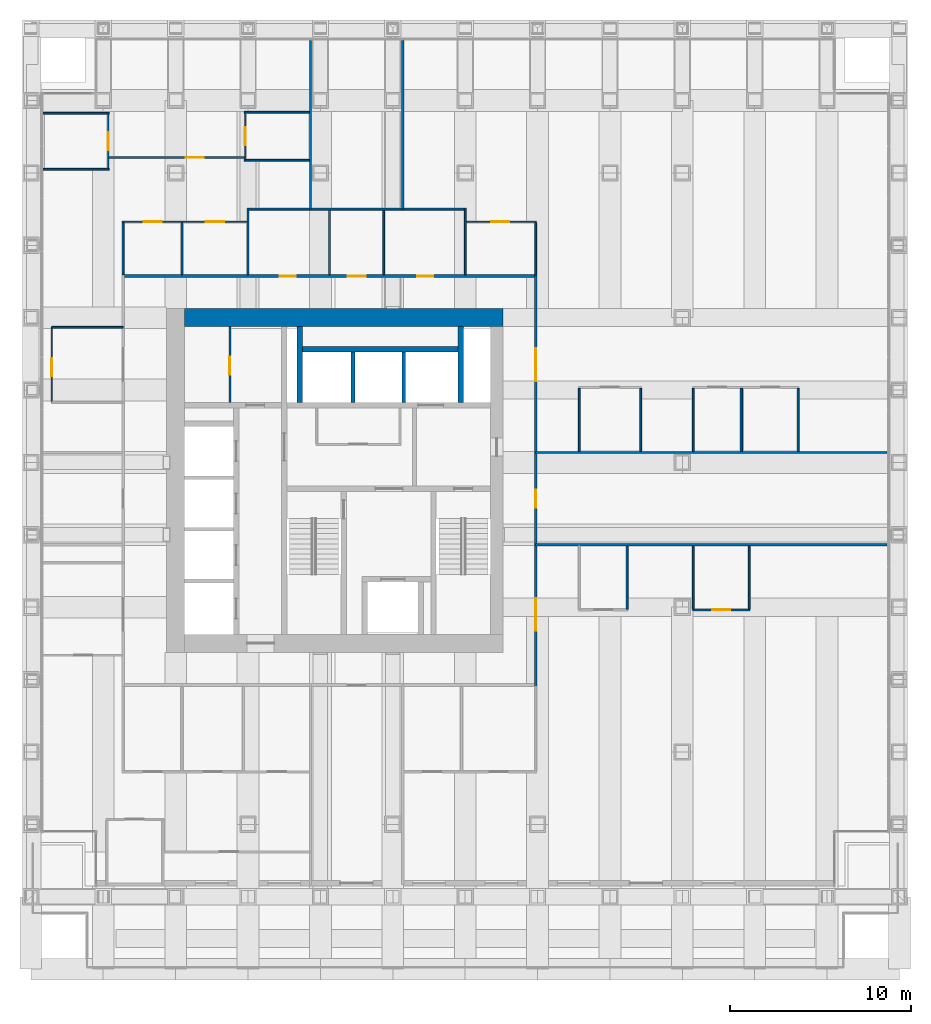
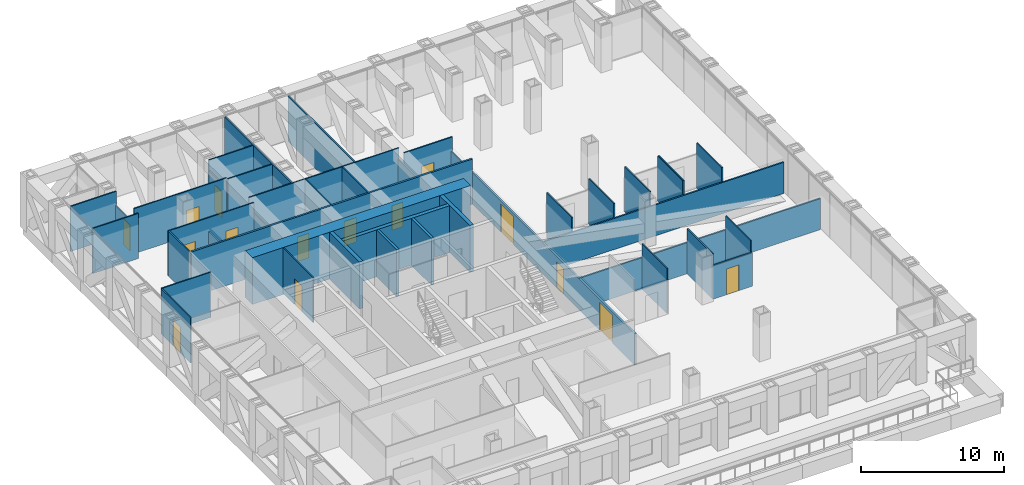
# One storey, part 14 of 18: 42 walls, 15 doors, 15 openings.
"""IFC4 building model written with IfcOpenShell, lengths in metres."""

from ifc_helpers import new_model, si_unit, direction, frame, frame_2d, origin, place, context, subcontext, project, spatial, rectangle, extrude, material, layer, layer_set, type_object, element, fill, save


model = new_model("IFC4")

# Units and contexts
model_context = context("Model", 3, precision=1e-05, world=origin(), true_north=direction((0.0, 1.0)))
body_context = subcontext(model_context, "Body", "Model", "MODEL_VIEW")
ifc_project = project(units=[si_unit("LENGTHUNIT", "METRE"), si_unit("AREAUNIT", "SQUARE_METRE"), si_unit("VOLUMEUNIT", "CUBIC_METRE"), si_unit("PLANEANGLEUNIT", "RADIAN"), si_unit("MASSUNIT", "GRAM", prefix="KILO")], contexts=[model_context])

# Site, building, storey
site_placement = place(None, origin())
site = spatial("IfcSite", under=ifc_project, at=site_placement, CompositionType="ELEMENT")
building_placement = place(site_placement, origin())
building = spatial("IfcBuilding", under=site, at=building_placement, Name="Rimbunsela Tower", CompositionType="ELEMENT")
storey_placement = place(building_placement, frame((0.0, 0.0, 105.39990234375)))
storey = spatial("IfcBuildingStorey", under=building, at=storey_placement, Name="L25", CompositionType="ELEMENT", Elevation=105.39990234375)

# Walls
ifc_material_1 = material(Name="Concrete fc' 80 MPa", Category="concrete")
ifc_layer_1 = layer(ifc_material_1, 0.300048828125)
ifc_layer_set_1 = layer_set([ifc_layer_1], Name="Core internal wall 300")
wall_type_1 = type_object("IfcWallType", Name="Core internal wall 300", PredefinedType="SHEAR", material=ifc_layer_set_1)
for number, where, z_axis, x_axis, name in (
    (1, (24.85009765625, 31.300048828125, -0.14990234375), (0.0, 0.0, 1.0), (0.0, 1.0, 0.0), "Riser wall"),
    (2, (33.75, 31.300048828125, -0.14990234375), (0.0, 0.0, 1.0), (0.0, 1.0, 0.0), "Riser wall"),
):
    element("IfcWall", number, at=place(storey_placement, frame(where, z_axis=z_axis, x_axis=x_axis)), inside=storey, type_object=wall_type_1, Name=name, PredefinedType="SHEAR", context=body_context, shape_type="SweptSolid", body=[
        extrude(rectangle(XDim=4.199951171875, YDim=0.300048828125, at=frame_2d((2.10009765625, 0.0))), origin(), (0.0, 0.0, 1.0), 4.0),
    ])
wall_1_placement = place(storey_placement, frame((25.0, 34.25, -0.14990234375), z_axis=(0.0, 0.0, 1.0), x_axis=(1.0, 0.0, 0.0)))
element("IfcWall", 3, at=wall_1_placement, inside=storey, type_object=wall_type_1, Name="Lift shaft rear north", PredefinedType="SHEAR", context=body_context, shape_type="SweptSolid", body=[
    extrude(rectangle(XDim=8.60009765625, YDim=0.300048828125, at=frame_2d((4.300048828125, 0.0))), origin(), (0.0, 0.0, 1.0), 4.0),
])

# Wall, opening, door
ifc_material_2 = material(Name="Concrete blockwork", Category="masonry")
ifc_layer_2 = layer(ifc_material_2, 0.10009765625)
ifc_layer_set_2 = layer_set([ifc_layer_2], Name="Core room partition 100")
wall_type_2 = type_object("IfcWallType", Name="Core room partition 100", PredefinedType="PARTITIONING", material=ifc_layer_set_2)
wall_2_placement = place(storey_placement, frame((21.0, 31.300048828125, 0.0), z_axis=(0.0, 0.0, 1.0), x_axis=(0.0, 1.0, 0.0)))
wall_2 = element("IfcWall", 4, at=wall_2_placement, inside=storey, type_object=wall_type_2, Name="Equipment store wall", PredefinedType="PARTITIONING", context=body_context, shape_type="SweptSolid", body=[
    extrude(rectangle(XDim=4.199951171875, YDim=0.10009765625, at=frame_2d((2.10009765625, 0.0))), origin(), (0.0, 0.0, 1.0), 3.85009765625),
])
opening_1_placement = place(wall_2_placement, frame((1.550048828125, 0.0, 0.0)))
opening_1 = element("IfcOpeningElement", 5, at=opening_1_placement, cuts=wall_2, Name="Opening D19", PredefinedType="OPENING", context=body_context, shape_type="SweptSolid", body=[
    extrude(rectangle(XDim=1.0, YDim=2.199951171875, at=frame_2d((0.5, 1.10009765625))), frame((0.0, 0.06005859375, 0.0), z_axis=(0.0, -1.0, 0.0), x_axis=(1.0, 0.0, 0.0)), (0.0, 0.0, 1.0), 0.1201171875),
])
ifc_material_3 = material(Name="Steel door, fire rated", Category="steel")
door_type_1 = type_object("IfcDoorType", Name="Service door 1000 fire rated", OperationType="SINGLE_SWING_LEFT", PredefinedType="DOOR", material=ifc_material_3)
door_1_placement = place(opening_1_placement, origin())
door_1 = element("IfcDoor", 6, at=door_1_placement, inside=storey, type_object=door_type_1, Name="Equipment store door", OperationType="SINGLE_SWING_LEFT", OverallHeight=2.199951171875, OverallWidth=1.0, PredefinedType="DOOR", context=body_context, shape_type="SweptSolid", body=[
    extrude(rectangle(XDim=1.0, YDim=2.199951171875, at=frame_2d((0.5, 1.10009765625))), frame((0.0, 0.02490234375, 0.0), z_axis=(0.0, -1.0, 0.0), x_axis=(1.0, 0.0, 0.0)), (0.0, 0.0, 1.0), 0.050048828125),
])
fill(opening_1, door_1)

# Walls
ifc_material_4 = material(Name="Concrete fc' 80 MPa", Category="concrete")
ifc_layer_3 = layer(ifc_material_4, 1.0)
ifc_layer_set_3 = layer_set([ifc_layer_3], Name="Core wall 1000")
wall_type_3 = type_object("IfcWallType", Name="Core wall 1000", PredefinedType="SHEAR", material=ifc_layer_set_3)
wall_3_placement = place(storey_placement, frame((18.5, 36.0, -0.14990234375), z_axis=(0.0, 0.0, 1.0), x_axis=(1.0, 0.0, 0.0)))
element("IfcWall", 7, at=wall_3_placement, inside=storey, type_object=wall_type_3, Name="Core wall north", PredefinedType="SHEAR", context=body_context, shape_type="SweptSolid", body=[
    extrude(rectangle(XDim=17.60009765625, YDim=1.0, at=frame_2d((8.800048828125, 0.0))), origin(), (0.0, 0.0, 1.0), 4.0),
])
ifc_material_5 = material(Name="Concrete blockwork", Category="masonry")
ifc_layer_4 = layer(ifc_material_5, 0.199951171875)
ifc_layer_set_4 = layer_set([ifc_layer_4], Name="Lift shaft wall 200")
wall_type_4 = type_object("IfcWallType", Name="Lift shaft wall 200", PredefinedType="SOLIDWALL", material=ifc_layer_set_4)
for number, where, z_axis, x_axis, name in (
    (8, (27.800048828125, 31.300048828125, -0.14990234375), (0.0, 0.0, 1.0), (0.0, 1.0, 0.0), "Lift shaft separation"),
    (9, (30.60009765625, 31.300048828125, -0.14990234375), (0.0, 0.0, 1.0), (0.0, 1.0, 0.0), "Lift shaft separation"),
):
    element("IfcWall", number, at=place(storey_placement, frame(where, z_axis=z_axis, x_axis=x_axis)), inside=storey, type_object=wall_type_4, Name=name, PredefinedType="SOLIDWALL", context=body_context, shape_type="SweptSolid", body=[
        extrude(rectangle(XDim=2.800048828125, YDim=0.199951171875, at=frame_2d((1.39990234375, 0.0))), origin(), (0.0, 0.0, 1.0), 4.0),
    ])

# Wall, opening, door
ifc_material_6 = material(Name="Gypsum board on steel studs", Category="steel")
ifc_layer_5 = layer(ifc_material_6, 0.10009765625)
ifc_layer_set_5 = layer_set([ifc_layer_5], Name="Office partition 100")
wall_type_5 = type_object("IfcWallType", Name="Office partition 100", PredefinedType="PARTITIONING", material=ifc_layer_set_5)
wall_4_placement = place(storey_placement, frame((46.550048828125, 19.85009765625, 0.0), z_axis=(0.0, 0.0, 1.0), x_axis=(1.0, 0.0, 0.0)))
wall_4 = element("IfcWall", 10, at=wall_4_placement, inside=storey, type_object=wall_type_5, Name="Office partition", PredefinedType="PARTITIONING", context=body_context, shape_type="SweptSolid", body=[
    extrude(rectangle(XDim=3.199951171875, YDim=0.10009765625, at=frame_2d((1.60009765625, 0.0))), origin(), (0.0, 0.0, 1.0), 2.85009765625),
])
opening_2_placement = place(wall_4_placement, frame((1.10009765625, 0.0, 0.0)))
opening_2 = element("IfcOpeningElement", 11, at=opening_2_placement, cuts=wall_4, Name="Opening D16", PredefinedType="OPENING", context=body_context, shape_type="SweptSolid", body=[
    extrude(rectangle(XDim=1.0, YDim=2.199951171875, at=frame_2d((0.5, 1.10009765625))), frame((0.0, 0.06005859375, 0.0), z_axis=(0.0, -1.0, 0.0), x_axis=(1.0, 0.0, 0.0)), (0.0, 0.0, 1.0), 0.1201171875),
])
ifc_material_7 = material(Name="Timber door", Category="wood")
door_type_2 = type_object("IfcDoorType", Name="Office door 1000", OperationType="SINGLE_SWING_LEFT", PredefinedType="DOOR", material=ifc_material_7)
door_2_placement = place(opening_2_placement, origin())
door_2 = element("IfcDoor", 12, at=door_2_placement, inside=storey, type_object=door_type_2, Name="Office door", OperationType="SINGLE_SWING_LEFT", OverallHeight=2.199951171875, OverallWidth=1.0, PredefinedType="DOOR", context=body_context, shape_type="SweptSolid", body=[
    extrude(rectangle(XDim=1.0, YDim=2.199951171875, at=frame_2d((0.5, 1.10009765625))), frame((0.0, 0.02490234375, 0.0), z_axis=(0.0, -1.0, 0.0), x_axis=(1.0, 0.0, 0.0)), (0.0, 0.0, 1.0), 0.050048828125),
])
fill(opening_2, door_2)

# Wall, openings, doors
wall_5_placement = place(storey_placement, frame((15.050048828125, 41.300048828125, 0.0), z_axis=(0.0, 0.0, 1.0), x_axis=(1.0, 0.0, 0.0)))
wall_5 = element("IfcWall", 13, at=wall_5_placement, inside=storey, type_object=wall_type_5, Name="Office partition", PredefinedType="PARTITIONING", context=body_context, shape_type="SweptSolid", body=[
    extrude(rectangle(XDim=6.89990234375, YDim=0.10009765625, at=frame_2d((3.449951171875, 0.0))), origin(), (0.0, 0.0, 1.0), 3.85009765625),
])
opening_3_placement = place(wall_5_placement, frame((1.175048828125, 0.0, 0.0)))
opening_3 = element("IfcOpeningElement", 14, at=opening_3_placement, cuts=wall_5, Name="Opening D16", PredefinedType="OPENING", context=body_context, shape_type="SweptSolid", body=[
    extrude(rectangle(XDim=1.0, YDim=2.199951171875, at=frame_2d((0.5, 1.10009765625))), frame((0.0, 0.06005859375, 0.0), z_axis=(0.0, -1.0, 0.0), x_axis=(1.0, 0.0, 0.0)), (0.0, 0.0, 1.0), 0.1201171875),
])
opening_4_placement = place(wall_5_placement, frame((4.625, 0.0, 0.0)))
opening_4 = element("IfcOpeningElement", 15, at=opening_4_placement, cuts=wall_5, Name="Opening D16", PredefinedType="OPENING", context=body_context, shape_type="SweptSolid", body=[
    extrude(rectangle(XDim=1.0, YDim=2.199951171875, at=frame_2d((0.5, 1.10009765625))), frame((0.0, 0.06005859375, 0.0), z_axis=(0.0, -1.0, 0.0), x_axis=(1.0, 0.0, 0.0)), (0.0, 0.0, 1.0), 0.1201171875),
])
door_3_placement = place(opening_3_placement, origin())
door_3 = element("IfcDoor", 16, at=door_3_placement, inside=storey, type_object=door_type_2, Name="Office door", OperationType="SINGLE_SWING_LEFT", OverallHeight=2.199951171875, OverallWidth=1.0, PredefinedType="DOOR", context=body_context, shape_type="SweptSolid", body=[
    extrude(rectangle(XDim=1.0, YDim=2.199951171875, at=frame_2d((0.5, 1.10009765625))), frame((0.0, 0.02490234375, 0.0), z_axis=(0.0, -1.0, 0.0), x_axis=(1.0, 0.0, 0.0)), (0.0, 0.0, 1.0), 0.050048828125),
])
fill(opening_3, door_3)
door_4_placement = place(opening_4_placement, origin())
door_4 = element("IfcDoor", 17, at=door_4_placement, inside=storey, type_object=door_type_2, Name="Office door", OperationType="SINGLE_SWING_LEFT", OverallHeight=2.199951171875, OverallWidth=1.0, PredefinedType="DOOR", context=body_context, shape_type="SweptSolid", body=[
    extrude(rectangle(XDim=1.0, YDim=2.199951171875, at=frame_2d((0.5, 1.10009765625))), frame((0.0, 0.02490234375, 0.0), z_axis=(0.0, -1.0, 0.0), x_axis=(1.0, 0.0, 0.0)), (0.0, 0.0, 1.0), 0.050048828125),
])
fill(opening_4, door_4)

# Wall, opening, door
wall_6_placement = place(storey_placement, frame((34.050048828125, 41.300048828125, 0.0), z_axis=(0.0, 0.0, 1.0), x_axis=(1.0, 0.0, 0.0)))
wall_6 = element("IfcWall", 18, at=wall_6_placement, inside=storey, type_object=wall_type_5, Name="Office partition", PredefinedType="PARTITIONING", context=body_context, shape_type="SweptSolid", body=[
    extrude(rectangle(XDim=3.89990234375, YDim=0.10009765625, at=frame_2d((1.949951171875, 0.0))), origin(), (0.0, 0.0, 1.0), 3.85009765625),
])
opening_5_placement = place(wall_6_placement, frame((1.39990234375, 0.0, 0.0)))
opening_5 = element("IfcOpeningElement", 19, at=opening_5_placement, cuts=wall_6, Name="Opening D16", PredefinedType="OPENING", context=body_context, shape_type="SweptSolid", body=[
    extrude(rectangle(XDim=1.0, YDim=2.199951171875, at=frame_2d((0.5, 1.10009765625))), frame((0.0, 0.06005859375, 0.0), z_axis=(0.0, -1.0, 0.0), x_axis=(1.0, 0.0, 0.0)), (0.0, 0.0, 1.0), 0.1201171875),
])
door_5_placement = place(opening_5_placement, origin())
door_5 = element("IfcDoor", 20, at=door_5_placement, inside=storey, type_object=door_type_2, Name="Office door", OperationType="SINGLE_SWING_LEFT", OverallHeight=2.199951171875, OverallWidth=1.0, PredefinedType="DOOR", context=body_context, shape_type="SweptSolid", body=[
    extrude(rectangle(XDim=1.0, YDim=2.199951171875, at=frame_2d((0.5, 1.10009765625))), frame((0.0, 0.02490234375, 0.0), z_axis=(0.0, -1.0, 0.0), x_axis=(1.0, 0.0, 0.0)), (0.0, 0.0, 1.0), 0.050048828125),
])
fill(opening_5, door_5)

# Walls
wall_7_placement = place(storey_placement, frame((10.6298828125, 44.199951171875, 0.0), z_axis=(0.0, 0.0, 1.0), x_axis=(1.0, 0.0, 0.0)))
element("IfcWall", 21, at=wall_7_placement, inside=storey, type_object=wall_type_5, Name="Office partition", PredefinedType="PARTITIONING", context=body_context, shape_type="SweptSolid", body=[
    extrude(rectangle(XDim=3.7001953125, YDim=0.10009765625, at=frame_2d((1.85009765625, 0.0))), origin(), (0.0, 0.0, 1.0), 3.85009765625),
])
wall_8_placement = place(storey_placement, frame((21.800048828125, 44.699951171875, 0.0), z_axis=(0.0, 0.0, 1.0), x_axis=(1.0, 0.0, 0.0)))
element("IfcWall", 22, at=wall_8_placement, inside=storey, type_object=wall_type_5, Name="Office partition", PredefinedType="PARTITIONING", context=body_context, shape_type="SweptSolid", body=[
    extrude(rectangle(XDim=3.58984375, YDim=0.10009765625, at=frame_2d((1.794921875, 0.0))), origin(), (0.0, 0.0, 1.0), 3.85009765625),
])
wall_9_placement = place(storey_placement, frame((10.6298828125, 47.300048828125, 0.0), z_axis=(0.0, 0.0, 1.0), x_axis=(1.0, 0.0, 0.0)))
element("IfcWall", 23, at=wall_9_placement, inside=storey, type_object=wall_type_5, Name="Office partition", PredefinedType="PARTITIONING", context=body_context, shape_type="SweptSolid", body=[
    extrude(rectangle(XDim=3.7001953125, YDim=0.10009765625, at=frame_2d((1.85009765625, 0.0))), origin(), (0.0, 0.0, 1.0), 3.85009765625),
])
wall_10_placement = place(storey_placement, frame((21.800048828125, 47.35009765625, 0.0), z_axis=(0.0, 0.0, 1.0), x_axis=(1.0, 0.0, 0.0)))
element("IfcWall", 24, at=wall_10_placement, inside=storey, type_object=wall_type_5, Name="Office partition", PredefinedType="PARTITIONING", context=body_context, shape_type="SweptSolid", body=[
    extrude(rectangle(XDim=3.58984375, YDim=0.10009765625, at=frame_2d((1.794921875, 0.0))), origin(), (0.0, 0.0, 1.0), 3.85009765625),
])

# Wall, opening, door
wall_11_placement = place(storey_placement, frame((14.280029296875, 44.25, 0.0), z_axis=(0.0, 0.0, 1.0), x_axis=(0.0, 1.0, 0.0)))
wall_11 = element("IfcWall", 25, at=wall_11_placement, inside=storey, type_object=wall_type_5, Name="Office partition", PredefinedType="PARTITIONING", context=body_context, shape_type="SweptSolid", body=[
    extrude(rectangle(XDim=3.0, YDim=0.10009765625, at=frame_2d((1.5, 0.0))), origin(), (0.0, 0.0, 1.0), 2.650146484375),
])
opening_6_placement = place(wall_11_placement, frame((1.0, 0.0, 0.0)))
opening_6 = element("IfcOpeningElement", 26, at=opening_6_placement, cuts=wall_11, Name="Opening D16", PredefinedType="OPENING", context=body_context, shape_type="SweptSolid", body=[
    extrude(rectangle(XDim=1.0, YDim=2.199951171875, at=frame_2d((0.5, 1.10009765625))), frame((0.0, 0.06005859375, 0.0), z_axis=(0.0, -1.0, 0.0), x_axis=(1.0, 0.0, 0.0)), (0.0, 0.0, 1.0), 0.1201171875),
])
door_6_placement = place(opening_6_placement, origin())
door_6 = element("IfcDoor", 27, at=door_6_placement, inside=storey, type_object=door_type_2, Name="Office door", OperationType="SINGLE_SWING_LEFT", OverallHeight=2.199951171875, OverallWidth=1.0, PredefinedType="DOOR", context=body_context, shape_type="SweptSolid", body=[
    extrude(rectangle(XDim=1.0, YDim=2.199951171875, at=frame_2d((0.5, 1.10009765625))), frame((0.0, 0.02490234375, 0.0), z_axis=(0.0, -1.0, 0.0), x_axis=(1.0, 0.0, 0.0)), (0.0, 0.0, 1.0), 0.050048828125),
])
fill(opening_6, door_6)

# Walls
wall_12_placement = place(storey_placement, frame((15.10009765625, 38.375, 0.0), z_axis=(0.0, 0.0, 1.0), x_axis=(0.0, 1.0, 0.0)))
element("IfcWall", 28, at=wall_12_placement, inside=storey, type_object=wall_type_5, Name="Office partition", PredefinedType="PARTITIONING", context=body_context, shape_type="SweptSolid", body=[
    extrude(rectangle(XDim=2.875, YDim=0.10009765625, at=frame_2d((1.4375, 0.0))), origin(), (0.0, 0.0, 1.0), 3.85009765625),
])
wall_13_placement = place(storey_placement, frame((18.35009765625, 38.375, 0.0), z_axis=(0.0, 0.0, 1.0), x_axis=(0.0, 1.0, 0.0)))
element("IfcWall", 29, at=wall_13_placement, inside=storey, type_object=wall_type_5, Name="Office partition", PredefinedType="PARTITIONING", context=body_context, shape_type="SweptSolid", body=[
    extrude(rectangle(XDim=2.875, YDim=0.10009765625, at=frame_2d((1.4375, 0.0))), origin(), (0.0, 0.0, 1.0), 2.650146484375),
])

# Wall, opening, door
wall_14_placement = place(storey_placement, frame((21.85009765625, 44.75, 0.0), z_axis=(0.0, 0.0, 1.0), x_axis=(0.0, 1.0, 0.0)))
wall_14 = element("IfcWall", 30, at=wall_14_placement, inside=storey, type_object=wall_type_5, Name="Office partition", PredefinedType="PARTITIONING", context=body_context, shape_type="SweptSolid", body=[
    extrude(rectangle(XDim=2.550048828125, YDim=0.10009765625, at=frame_2d((1.27490234375, 0.0))), origin(), (0.0, 0.0, 1.0), 2.9501953125),
])
opening_7_placement = place(wall_14_placement, frame((0.77490234375, 0.0, 0.0)))
opening_7 = element("IfcOpeningElement", 31, at=opening_7_placement, cuts=wall_14, Name="Opening D16", PredefinedType="OPENING", context=body_context, shape_type="SweptSolid", body=[
    extrude(rectangle(XDim=1.0, YDim=2.199951171875, at=frame_2d((0.5, 1.10009765625))), frame((0.0, 0.06005859375, 0.0), z_axis=(0.0, -1.0, 0.0), x_axis=(1.0, 0.0, 0.0)), (0.0, 0.0, 1.0), 0.1201171875),
])
door_7_placement = place(opening_7_placement, origin())
door_7 = element("IfcDoor", 32, at=door_7_placement, inside=storey, type_object=door_type_2, Name="Office door", OperationType="SINGLE_SWING_LEFT", OverallHeight=2.199951171875, OverallWidth=1.0, PredefinedType="DOOR", context=body_context, shape_type="SweptSolid", body=[
    extrude(rectangle(XDim=1.0, YDim=2.199951171875, at=frame_2d((0.5, 1.10009765625))), frame((0.0, 0.02490234375, 0.0), z_axis=(0.0, -1.0, 0.0), x_axis=(1.0, 0.0, 0.0)), (0.0, 0.0, 1.0), 0.050048828125),
])
fill(opening_7, door_7)

# Walls
wall_15_placement = place(storey_placement, frame((37.89990234375, 38.375, 0.0), z_axis=(0.0, 0.0, 1.0), x_axis=(0.0, 1.0, 0.0)))
element("IfcWall", 33, at=wall_15_placement, inside=storey, type_object=wall_type_5, Name="Office partition", PredefinedType="PARTITIONING", context=body_context, shape_type="SweptSolid", body=[
    extrude(rectangle(XDim=2.875, YDim=0.10009765625, at=frame_2d((1.4375, 0.0))), origin(), (0.0, 0.0, 1.0), 2.650146484375),
])
for number, where, z_axis, x_axis, name in (
    (34, (40.300048828125, 28.610107421875, 0.0), (0.0, 0.0, 1.0), (0.0, 1.0, 0.0), "Office partition"),
    (35, (42.949951171875, 19.89990234375, 0.0), (0.0, 0.0, 1.0), (0.0, 1.0, 0.0), "Office partition"),
    (36, (43.699951171875, 28.610107421875, 0.0), (0.0, 0.0, 1.0), (0.0, 1.0, 0.0), "Office partition"),
    (37, (46.60009765625, 19.89990234375, 0.0), (0.0, 0.0, 1.0), (0.0, 1.0, 0.0), "Office partition"),
    (38, (46.60009765625, 28.610107421875, 0.0), (0.0, 0.0, 1.0), (0.0, 1.0, 0.0), "Office partition"),
    (39, (49.25, 28.610107421875, 0.0), (0.0, 0.0, 1.0), (0.0, 1.0, 0.0), "Office partition"),
    (40, (49.300048828125, 28.610107421875, 0.0), (0.0, 0.0, 1.0), (0.0, 1.0, 0.0), "Office partition"),
    (41, (49.699951171875, 19.89990234375, 0.0), (0.0, 0.0, 1.0), (0.0, 1.0, 0.0), "Office partition"),
    (42, (52.39990234375, 28.610107421875, 0.0), (0.0, 0.0, 1.0), (0.0, 1.0, 0.0), "Office partition"),
):
    element("IfcWall", number, at=place(storey_placement, frame(where, z_axis=z_axis, x_axis=x_axis)), inside=storey, type_object=wall_type_5, Name=name, PredefinedType="PARTITIONING", context=body_context, shape_type="SweptSolid", body=[
        extrude(rectangle(XDim=3.489990234375, YDim=0.10009765625, at=frame_2d((1.7451171875, 0.0))), origin(), (0.0, 0.0, 1.0), 3.85009765625),
    ])

# Wall, opening, door
wall_16_placement = place(storey_placement, frame((14.330078125, 44.85009765625, 0.0), z_axis=(0.0, 0.0, 1.0), x_axis=(1.0, 0.0, 0.0)))
wall_16 = element("IfcWall", 43, at=wall_16_placement, inside=storey, type_object=wall_type_5, Name="Office partition", PredefinedType="PARTITIONING", context=body_context, shape_type="SweptSolid", body=[
    extrude(rectangle(XDim=7.469970703125, YDim=0.10009765625, at=frame_2d((3.73486328125, 0.0))), origin(), (0.0, 0.0, 1.0), 3.85009765625),
])
opening_8_placement = place(wall_16_placement, frame((4.235107421875, 0.0, 0.0)))
opening_8 = element("IfcOpeningElement", 44, at=opening_8_placement, cuts=wall_16, Name="Opening D17", PredefinedType="OPENING", context=body_context, shape_type="SweptSolid", body=[
    extrude(rectangle(XDim=1.0, YDim=2.199951171875, at=frame_2d((0.5, 1.10009765625))), frame((0.0, 0.06005859375, 0.0), z_axis=(0.0, -1.0, 0.0), x_axis=(1.0, 0.0, 0.0)), (0.0, 0.0, 1.0), 0.1201171875),
])
ifc_material_8 = material(Name="Glazed aluminium door", Category="aluminium")
door_type_3 = type_object("IfcDoorType", Name="Meeting room door 1000 glazed", OperationType="SINGLE_SWING_RIGHT", PredefinedType="DOOR", material=ifc_material_8)
door_8_placement = place(opening_8_placement, origin())
door_8 = element("IfcDoor", 45, at=door_8_placement, inside=storey, type_object=door_type_3, Name="Open office screen door", OperationType="SINGLE_SWING_RIGHT", OverallHeight=2.199951171875, OverallWidth=1.0, PredefinedType="DOOR", context=body_context, shape_type="SweptSolid", body=[
    extrude(rectangle(XDim=1.0, YDim=2.199951171875, at=frame_2d((0.5, 1.10009765625))), frame((0.0, 0.02490234375, 0.0), z_axis=(0.0, -1.0, 0.0), x_axis=(1.0, 0.0, 0.0)), (0.0, 0.0, 1.0), 0.050048828125),
])
fill(opening_8, door_8)

# Wall
wall_17_placement = place(storey_placement, frame((15.10009765625, 35.47607421875, 0.0), z_axis=(0.0, 0.0, 1.0), x_axis=(-1.0, 0.0, 0.0)))
element("IfcWall", 46, at=wall_17_placement, inside=storey, type_object=wall_type_5, Name="Office partition", PredefinedType="PARTITIONING", context=body_context, shape_type="SweptSolid", body=[
    extrude(rectangle(XDim=3.9501953125, YDim=0.10009765625, at=frame_2d((1.97509765625, 0.0))), origin(), (0.0, 0.0, 1.0), 3.85009765625),
])

# Wall, opening, door
wall_18_placement = place(storey_placement, frame((11.14990234375, 35.47607421875, 0.0), z_axis=(0.0, 0.0, 1.0), x_axis=(0.0, -1.0, 0.0)))
wall_18 = element("IfcWall", 47, at=wall_18_placement, inside=storey, type_object=wall_type_5, Name="Office partition", PredefinedType="PARTITIONING", context=body_context, shape_type="SweptSolid", body=[
    extrude(rectangle(XDim=4.150146484375, YDim=0.10009765625, at=frame_2d((2.0751953125, 0.0))), origin(), (0.0, 0.0, 1.0), 3.85009765625),
])
opening_9_placement = place(wall_18_placement, frame((1.72509765625, 0.0, 0.0)))
opening_9 = element("IfcOpeningElement", 48, at=opening_9_placement, cuts=wall_18, Name="Opening D17", PredefinedType="OPENING", context=body_context, shape_type="SweptSolid", body=[
    extrude(rectangle(XDim=1.0, YDim=2.199951171875, at=frame_2d((0.5, 1.10009765625))), frame((0.0, 0.06005859375, 0.0), z_axis=(0.0, -1.0, 0.0), x_axis=(1.0, 0.0, 0.0)), (0.0, 0.0, 1.0), 0.1201171875),
])
door_9_placement = place(opening_9_placement, origin())
door_9 = element("IfcDoor", 49, at=door_9_placement, inside=storey, type_object=door_type_3, Name="Reception door", OperationType="SINGLE_SWING_RIGHT", OverallHeight=2.199951171875, OverallWidth=1.0, PredefinedType="DOOR", context=body_context, shape_type="SweptSolid", body=[
    extrude(rectangle(XDim=1.0, YDim=2.199951171875, at=frame_2d((0.5, 1.10009765625))), frame((0.0, 0.02490234375, 0.0), z_axis=(0.0, -1.0, 0.0), x_axis=(1.0, 0.0, 0.0)), (0.0, 0.0, 1.0), 0.050048828125),
])
fill(opening_9, door_9)

# Wall, openings, doors
ifc_material_9 = material(Name="Fire-rated gypsum board on steel studs, EI 60", Category="steel")
ifc_layer_6 = layer(ifc_material_9, 0.14990234375)
ifc_layer_set_6 = layer_set([ifc_layer_6], Name="Rated corridor wall 150")
wall_type_6 = type_object("IfcWallType", Name="Rated corridor wall 150", PredefinedType="PARTITIONING", material=ifc_layer_set_6)
wall_19_placement = place(storey_placement, frame((37.89990234375, 15.625, 0.0), z_axis=(0.0, 0.0, 1.0), x_axis=(0.0, 1.0, 0.0)))
wall_19 = element("IfcWall", 50, at=wall_19_placement, inside=storey, type_object=wall_type_6, Name="Corridor wall east", PredefinedType="PARTITIONING", context=body_context, shape_type="SweptSolid", body=[
    extrude(rectangle(XDim=22.75, YDim=0.14990234375, at=frame_2d((11.375, 0.0))), origin(), (0.0, 0.0, 1.0), 2.650146484375),
])
opening_10_placement = place(wall_19_placement, frame((3.073974609375, 0.0, 0.0)))
opening_10 = element("IfcOpeningElement", 51, at=opening_10_placement, cuts=wall_19, Name="Opening D09", PredefinedType="OPENING", context=body_context, shape_type="SweptSolid", body=[
    extrude(rectangle(XDim=1.800048828125, YDim=2.39990234375, at=frame_2d((0.89990234375, 1.199951171875))), frame((0.0, 0.0849609375, 0.0), z_axis=(0.0, -1.0, 0.0), x_axis=(1.0, 0.0, 0.0)), (0.0, 0.0, 1.0), 0.169921875),
])
opening_11_placement = place(wall_19_placement, frame((16.8759765625, 0.0, 0.0)))
opening_11 = element("IfcOpeningElement", 52, at=opening_11_placement, cuts=wall_19, Name="Opening D09", PredefinedType="OPENING", context=body_context, shape_type="SweptSolid", body=[
    extrude(rectangle(XDim=1.800048828125, YDim=2.39990234375, at=frame_2d((0.89990234375, 1.199951171875))), frame((0.0, 0.0849609375, 0.0), z_axis=(0.0, -1.0, 0.0), x_axis=(1.0, 0.0, 0.0)), (0.0, 0.0, 1.0), 0.169921875),
])
opening_12_placement = place(wall_19_placement, frame((9.875, 0.0, 0.0)))
opening_12 = element("IfcOpeningElement", 53, at=opening_12_placement, cuts=wall_19, Name="Opening D19", PredefinedType="OPENING", context=body_context, shape_type="SweptSolid", body=[
    extrude(rectangle(XDim=1.0, YDim=2.199951171875, at=frame_2d((0.5, 1.10009765625))), frame((0.0, 0.0849609375, 0.0), z_axis=(0.0, -1.0, 0.0), x_axis=(1.0, 0.0, 0.0)), (0.0, 0.0, 1.0), 0.169921875),
])
door_10_placement = place(opening_12_placement, origin())
door_10 = element("IfcDoor", 54, at=door_10_placement, inside=storey, type_object=door_type_1, Name="Service chase access door", OperationType="SINGLE_SWING_LEFT", OverallHeight=2.199951171875, OverallWidth=1.0, PredefinedType="DOOR", context=body_context, shape_type="SweptSolid", body=[
    extrude(rectangle(XDim=1.0, YDim=2.199951171875, at=frame_2d((0.5, 1.10009765625))), frame((0.0, 0.02490234375, 0.0), z_axis=(0.0, -1.0, 0.0), x_axis=(1.0, 0.0, 0.0)), (0.0, 0.0, 1.0), 0.050048828125),
])
fill(opening_12, door_10)
ifc_material_10 = material(Name="Glazed aluminium door, fire rated", Category="aluminium")
door_type_4 = type_object("IfcDoorType", Name="Tenancy door 1800 glazed", OperationType="DOUBLE_DOOR_DOUBLE_SWING", PredefinedType="DOOR", material=ifc_material_10)
door_11_placement = place(opening_10_placement, origin())
door_11 = element("IfcDoor", 55, at=door_11_placement, inside=storey, type_object=door_type_4, Name="Tenancy door", OperationType="DOUBLE_DOOR_DOUBLE_SWING", OverallHeight=2.39990234375, OverallWidth=1.800048828125, PredefinedType="DOOR", context=body_context, shape_type="SweptSolid", body=[
    extrude(rectangle(XDim=1.800048828125, YDim=2.39990234375, at=frame_2d((0.89990234375, 1.199951171875))), frame((0.0, 0.02490234375, 0.0), z_axis=(0.0, -1.0, 0.0), x_axis=(1.0, 0.0, 0.0)), (0.0, 0.0, 1.0), 0.050048828125),
])
fill(opening_10, door_11)
door_12_placement = place(opening_11_placement, origin())
door_12 = element("IfcDoor", 56, at=door_12_placement, inside=storey, type_object=door_type_4, Name="Tenancy door", OperationType="DOUBLE_DOOR_DOUBLE_SWING", OverallHeight=2.39990234375, OverallWidth=1.800048828125, PredefinedType="DOOR", context=body_context, shape_type="SweptSolid", body=[
    extrude(rectangle(XDim=1.800048828125, YDim=2.39990234375, at=frame_2d((0.89990234375, 1.199951171875))), frame((0.0, 0.02490234375, 0.0), z_axis=(0.0, -1.0, 0.0), x_axis=(1.0, 0.0, 0.0)), (0.0, 0.0, 1.0), 0.050048828125),
])
fill(opening_11, door_12)

wall_20_placement = place(storey_placement, frame((15.175048828125, 38.300048828125, 0.0), z_axis=(0.0, 0.0, 1.0), x_axis=(1.0, 0.0, 0.0)))
wall_20 = element("IfcWall", 57, at=wall_20_placement, inside=storey, type_object=wall_type_6, Name="Corridor wall north", PredefinedType="PARTITIONING", context=body_context, shape_type="SweptSolid", body=[
    extrude(rectangle(XDim=22.64990234375, YDim=0.14990234375, at=frame_2d((11.324951171875, 0.0))), origin(), (0.0, 0.0, 1.0), 3.85009765625),
])
opening_13_placement = place(wall_20_placement, frame((8.574951171875, 0.0, 0.0)))
opening_13 = element("IfcOpeningElement", 58, at=opening_13_placement, cuts=wall_20, Name="Opening D04", PredefinedType="OPENING", context=body_context, shape_type="SweptSolid", body=[
    extrude(rectangle(XDim=0.89990234375, YDim=2.10009765625, at=frame_2d((0.449951171875, 1.050048828125))), frame((0.0, 0.0849609375, 0.0), z_axis=(0.0, -1.0, 0.0), x_axis=(1.0, 0.0, 0.0)), (0.0, 0.0, 1.0), 0.169921875),
])
opening_14_placement = place(wall_20_placement, frame((12.324951171875, 0.0, 0.0)))
opening_14 = element("IfcOpeningElement", 59, at=opening_14_placement, cuts=wall_20, Name="Opening D05", PredefinedType="OPENING", context=body_context, shape_type="SweptSolid", body=[
    extrude(rectangle(XDim=1.0, YDim=2.10009765625, at=frame_2d((0.5, 1.050048828125))), frame((0.0, 0.0849609375, 0.0), z_axis=(0.0, -1.0, 0.0), x_axis=(1.0, 0.0, 0.0)), (0.0, 0.0, 1.0), 0.169921875),
])
opening_15_placement = place(wall_20_placement, frame((16.175048828125, 0.0, 0.0)))
opening_15 = element("IfcOpeningElement", 60, at=opening_15_placement, cuts=wall_20, Name="Opening D04", PredefinedType="OPENING", context=body_context, shape_type="SweptSolid", body=[
    extrude(rectangle(XDim=0.89990234375, YDim=2.10009765625, at=frame_2d((0.449951171875, 1.050048828125))), frame((0.0, 0.0849609375, 0.0), z_axis=(0.0, -1.0, 0.0), x_axis=(1.0, 0.0, 0.0)), (0.0, 0.0, 1.0), 0.169921875),
])
ifc_material_11 = material(Name="Timber door", Category="wood")
door_type_5 = type_object("IfcDoorType", Name="Accessible WC door 1000", OperationType="SLIDING_TO_LEFT", PredefinedType="DOOR", material=ifc_material_11)
door_13_placement = place(opening_14_placement, origin())
door_13 = element("IfcDoor", 61, at=door_13_placement, inside=storey, type_object=door_type_5, Name="Accessible WC door", OperationType="SLIDING_TO_LEFT", OverallHeight=2.10009765625, OverallWidth=1.0, PredefinedType="DOOR", context=body_context, shape_type="SweptSolid", body=[
    extrude(rectangle(XDim=1.0, YDim=2.10009765625, at=frame_2d((0.5, 1.050048828125))), frame((0.0, 0.02490234375, 0.0), z_axis=(0.0, -1.0, 0.0), x_axis=(1.0, 0.0, 0.0)), (0.0, 0.0, 1.0), 0.050048828125),
])
fill(opening_14, door_13)
ifc_material_12 = material(Name="Timber door", Category="wood")
door_type_6 = type_object("IfcDoorType", Name="Toilet door 900", OperationType="SINGLE_SWING_LEFT", PredefinedType="DOOR", material=ifc_material_12)
door_14_placement = place(opening_13_placement, origin())
door_14 = element("IfcDoor", 62, at=door_14_placement, inside=storey, type_object=door_type_6, Name="Female WC door", OperationType="SINGLE_SWING_LEFT", OverallHeight=2.10009765625, OverallWidth=0.89990234375, PredefinedType="DOOR", context=body_context, shape_type="SweptSolid", body=[
    extrude(rectangle(XDim=0.89990234375, YDim=2.10009765625, at=frame_2d((0.449951171875, 1.050048828125))), frame((0.0, 0.02490234375, 0.0), z_axis=(0.0, -1.0, 0.0), x_axis=(1.0, 0.0, 0.0)), (0.0, 0.0, 1.0), 0.050048828125),
])
fill(opening_13, door_14)
door_15_placement = place(opening_15_placement, origin())
door_15 = element("IfcDoor", 63, at=door_15_placement, inside=storey, type_object=door_type_6, Name="Male WC door", OperationType="SINGLE_SWING_LEFT", OverallHeight=2.10009765625, OverallWidth=0.89990234375, PredefinedType="DOOR", context=body_context, shape_type="SweptSolid", body=[
    extrude(rectangle(XDim=0.89990234375, YDim=2.10009765625, at=frame_2d((0.449951171875, 1.050048828125))), frame((0.0, 0.02490234375, 0.0), z_axis=(0.0, -1.0, 0.0), x_axis=(1.0, 0.0, 0.0)), (0.0, 0.0, 1.0), 0.050048828125),
])
fill(opening_15, door_15)

# Walls
ifc_material_13 = material(Name="Gypsum board on steel studs", Category="steel")
ifc_layer_7 = layer(ifc_material_13, 0.1201171875)
ifc_layer_set_7 = layer_set([ifc_layer_7], Name="Tenancy partition 120")
wall_type_7 = type_object("IfcWallType", Name="Tenancy partition 120", PredefinedType="PARTITIONING", material=ifc_layer_set_7)
for number, where, z_axis, x_axis, name in (
    (64, (37.89990234375, 23.449951171875, 0.0), (0.0, 0.0, 1.0), (1.0, 0.0, 0.0), "Tenancy partition"),
    (65, (37.89990234375, 28.550048828125, 0.0), (0.0, 0.0, 1.0), (1.0, 0.0, 0.0), "Tenancy partition"),
):
    element("IfcWall", number, at=place(storey_placement, frame(where, z_axis=z_axis, x_axis=x_axis)), inside=storey, type_object=wall_type_7, Name=name, PredefinedType="PARTITIONING", context=body_context, shape_type="SweptSolid", body=[
        extrude(rectangle(XDim=19.420166015625, YDim=0.1201171875, at=frame_2d((9.7099609375, 0.0))), origin(), (0.0, 0.0, 1.0), 2.650146484375),
    ])
for number, where, z_axis, x_axis, name in (
    (66, (25.449951171875, 42.0, 0.0), (0.0, 0.0, 1.0), (0.0, 1.0, 0.0), "Tenancy partition"),
    (67, (30.550048828125, 42.0, 0.0), (0.0, 0.0, 1.0), (0.0, 1.0, 0.0), "Tenancy partition"),
):
    element("IfcWall", number, at=place(storey_placement, frame(where, z_axis=z_axis, x_axis=x_axis)), inside=storey, type_object=wall_type_7, Name=name, PredefinedType="PARTITIONING", context=body_context, shape_type="SweptSolid", body=[
        extrude(rectangle(XDim=9.320068359375, YDim=0.1201171875, at=frame_2d((4.66015625, 0.0))), origin(), (0.0, 0.0, 1.0), 3.85009765625),
    ])
ifc_material_14 = material(Name="Concrete blockwork", Category="masonry")
ifc_layer_8 = layer(ifc_material_14, 0.10009765625)
ifc_layer_set_8 = layer_set([ifc_layer_8], Name="Toilet partition 100")
wall_type_8 = type_object("IfcWallType", Name="Toilet partition 100", PredefinedType="PARTITIONING", material=ifc_layer_set_8)
for number, where, z_axis, x_axis, name in (
    (68, (22.0, 38.375, 0.0), (0.0, 0.0, 1.0), (0.0, 1.0, 0.0), "Toilet block wall west"),
    (69, (34.0, 38.375, 0.0), (0.0, 0.0, 1.0), (0.0, 1.0, 0.0), "Toilet block wall east"),
):
    element("IfcWall", number, at=place(storey_placement, frame(where, z_axis=z_axis, x_axis=x_axis)), inside=storey, type_object=wall_type_8, Name=name, PredefinedType="PARTITIONING", context=body_context, shape_type="SweptSolid", body=[
        extrude(rectangle(XDim=3.675048828125, YDim=0.10009765625, at=frame_2d((1.83740234375, 0.0))), origin(), (0.0, 0.0, 1.0), 2.9501953125),
    ])
wall_21_placement = place(storey_placement, frame((21.949951171875, 42.0, 0.0), z_axis=(0.0, 0.0, 1.0), x_axis=(1.0, 0.0, 0.0)))
element("IfcWall", 70, at=wall_21_placement, inside=storey, type_object=wall_type_8, Name="Toilet block wall north", PredefinedType="PARTITIONING", context=body_context, shape_type="SweptSolid", body=[
    extrude(rectangle(XDim=12.10009765625, YDim=0.10009765625, at=frame_2d((6.050048828125, 0.0))), origin(), (0.0, 0.0, 1.0), 3.85009765625),
])
for number, where, z_axis, x_axis, name in (
    (71, (26.5, 38.375, 0.0), (0.0, 0.0, 1.0), (0.0, 1.0, 0.0), "Toilet partition"),
    (72, (29.5, 38.375, 0.0), (0.0, 0.0, 1.0), (0.0, 1.0, 0.0), "Toilet partition"),
):
    element("IfcWall", number, at=place(storey_placement, frame(where, z_axis=z_axis, x_axis=x_axis)), inside=storey, type_object=wall_type_8, Name=name, PredefinedType="PARTITIONING", context=body_context, shape_type="SweptSolid", body=[
        extrude(rectangle(XDim=3.574951171875, YDim=0.10009765625, at=frame_2d((1.78759765625, 0.0))), origin(), (0.0, 0.0, 1.0), 3.85009765625),
    ])

save(model, "model.ifc")
